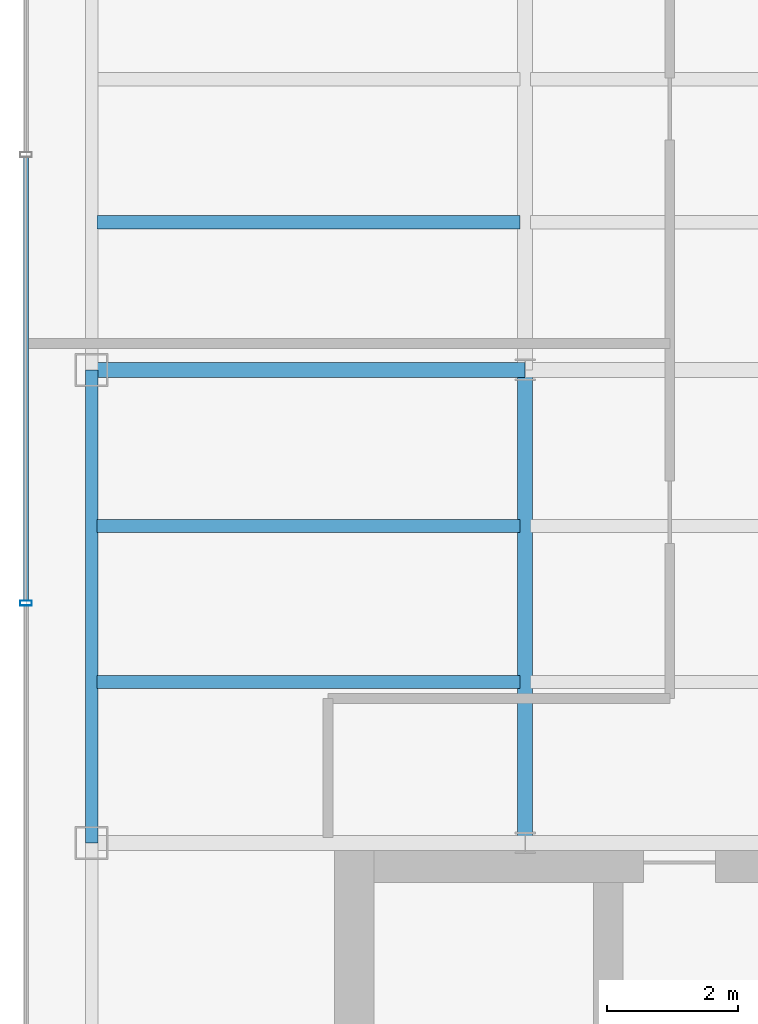
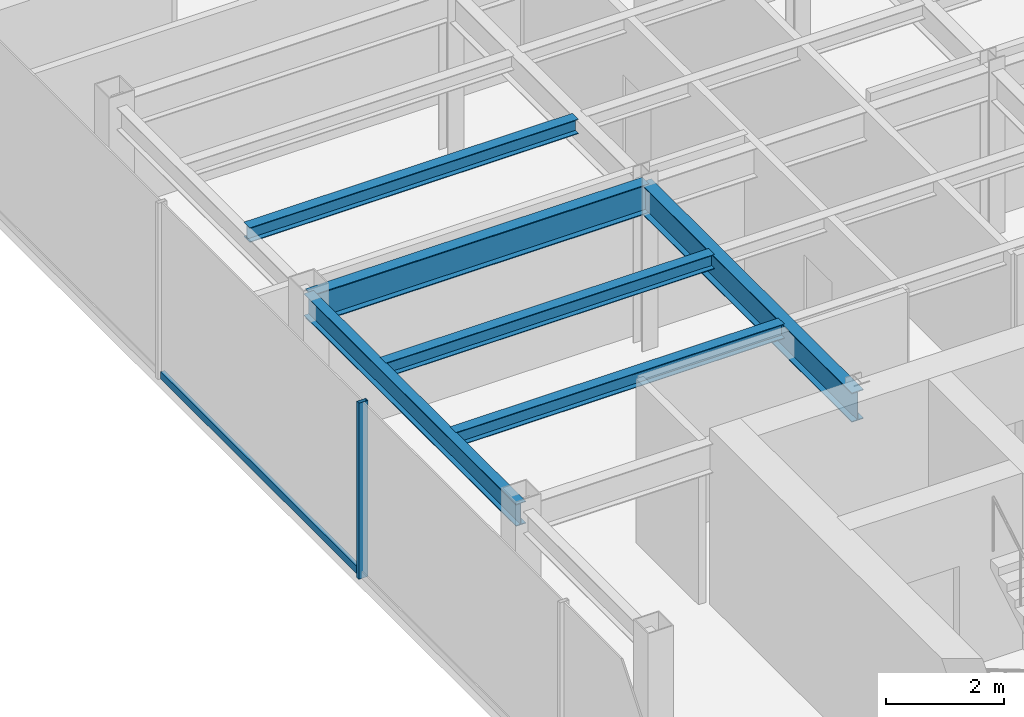
# One storey, part 5 of 22: 6 beams, 2 members, 1 element without a shape of its own.
"""IFC4 building model written with IfcOpenShell, lengths in metres."""

from ifc_helpers import new_model, si_unit, derived_unit, direction, frame, origin, origin_2d, place, context, subcontext, project, spatial, hollow_rectangle, i_section, extrude, source, transform, mapped, material, material_profile, profile_set, type_object, element, aggregate, save


model = new_model("IFC4")

# Units and contexts
model_context = context("Model", 3, precision=1e-05, world=origin(), true_north=direction((0.0, 1.0)))
body_context = subcontext(model_context, "Body", "Model", "MODEL_VIEW")
ifc_project = project(units=[si_unit("LENGTHUNIT", "METRE"), si_unit("AREAUNIT", "SQUARE_METRE"), si_unit("VOLUMEUNIT", "CUBIC_METRE"), si_unit("PLANEANGLEUNIT", "RADIAN"), si_unit("MASSUNIT", "GRAM", prefix="KILO"), derived_unit("THERMALTRANSMITTANCEUNIT", [(si_unit("POWERUNIT", "WATT"), 1), (si_unit("LENGTHUNIT", "METRE"), -2), (si_unit("THERMODYNAMICTEMPERATUREUNIT", "KELVIN"), -1)])], contexts=[model_context])

# Site, building, storey
site_placement = place(None, origin())
site = spatial("IfcSite", under=ifc_project, at=site_placement, CompositionType="ELEMENT")
building_placement = place(site_placement, origin())
building = spatial("IfcBuilding", under=site, at=building_placement, Name="Skarnbrae Concourse Arena and Tower", CompositionType="ELEMENT")
storey_placement = place(building_placement, frame((0.0, 0.0, 277.050048828125)))
storey = spatial("IfcBuildingStorey", under=building, at=storey_placement, Name="L72", CompositionType="ELEMENT", Elevation=277.050048828125)

# Beams
ifc_material_1 = material(Name="Steel CSA G40.21 350W", Category="steel")
ifc_material_profile_1 = material_profile(ifc_material_1, i_section(OverallWidth=0.22802734375, OverallDepth=0.60791015625, WebThickness=0.01123046875, FlangeThickness=0.017333984375, at=origin_2d()), Name="W610X113")
ifc_profile_set_1 = profile_set([ifc_material_profile_1], Name="Steel CSA G40.21 350W")
beam_type_1 = type_object("IfcBeamType", Name="BM-GIRD-W610X113", PredefinedType="BEAM", material=ifc_profile_set_1)
shared_shape_1 = source(origin(), body_context, "Body", "SweptSolid", [
    extrude(i_section(OverallWidth=0.22802734375, OverallDepth=0.60791015625, WebThickness=0.01123046875, FlangeThickness=0.017333984375, at=origin_2d()), origin(), (0.0, 0.0, 1.0), 6.60009765625),
])
beam_1_placement = place(storey_placement, frame((1.0, 21.199951171875, 3.095947265625), z_axis=(1.0, 0.0, 0.0), x_axis=(0.0, 1.0, 0.0)))
element("IfcBeam", 1, at=beam_1_placement, inside=storey, type_object=beam_type_1, Name="L72 Primary E-W girder Y21.2-1", PredefinedType="BEAM", context=body_context, shape_type="MappedRepresentation", body=[
    mapped(shared_shape_1, transform((0.0, 0.0, 0.0))),
])
ifc_material_profile_2 = material_profile(ifc_material_1, i_section(OverallWidth=0.19091796875, OverallDepth=0.4599609375, WebThickness=0.010009765625, FlangeThickness=0.01611328125, at=origin_2d()), Name="W460X82")
ifc_profile_set_2 = profile_set([ifc_material_profile_2], Name="Steel CSA G40.21 350W")
beam_type_2 = type_object("IfcBeamType", Name="BM-SPAN-W460X82", PredefinedType="SPANDREL", material=ifc_profile_set_2)
shared_shape_2 = source(origin(), body_context, "Body", "SweptSolid", [
    extrude(i_section(OverallWidth=0.19091796875, OverallDepth=0.4599609375, WebThickness=0.010009765625, FlangeThickness=0.01611328125, at=origin_2d()), origin(), (0.0, 0.0, 1.0), 7.199951171875),
])
beam_2_placement = place(storey_placement, frame((1.0, 14.0, 3.169921875), z_axis=(0.0, 1.0, 0.0), x_axis=(-1.0, 0.0, 0.0)))
element("IfcBeam", 2, at=beam_2_placement, inside=storey, type_object=beam_type_2, Name="L72 Perimeter spandrel X1.0-2", PredefinedType="SPANDREL", context=body_context, shape_type="MappedRepresentation", body=[
    mapped(shared_shape_2, transform((0.0, 0.0, 0.0))),
])
shared_shape_3 = source(origin(), body_context, "Body", "SweptSolid", [
    extrude(i_section(OverallWidth=0.22802734375, OverallDepth=0.60791015625, WebThickness=0.01123046875, FlangeThickness=0.017333984375, at=origin_2d()), origin(), (0.0, 0.0, 1.0), 7.199951171875),
])
beam_3_placement = place(storey_placement, frame((7.60009765625, 14.0, 3.095947265625), z_axis=(0.0, 1.0, 0.0), x_axis=(-1.0, 0.0, 0.0)))
element("IfcBeam", 3, at=beam_3_placement, inside=storey, type_object=beam_type_1, Name="L72 Primary N-S girder X7.6-1", PredefinedType="BEAM", context=body_context, shape_type="MappedRepresentation", body=[
    mapped(shared_shape_3, transform((0.0, 0.0, 0.0))),
])
ifc_material_profile_3 = material_profile(ifc_material_1, i_section(OverallWidth=0.202880859375, OverallDepth=0.302978515625, WebThickness=0.007568359375, FlangeThickness=0.01318359375, at=origin_2d()), Name="W310X60")
ifc_profile_set_3 = profile_set([ifc_material_profile_3], Name="Steel CSA G40.21 350W")
beam_type_3 = type_object("IfcBeamType", Name="BM-JOIST-W310X60", PredefinedType="JOIST", material=ifc_profile_set_3)
shared_shape_4 = source(origin(), body_context, "Body", "SweptSolid", [
    extrude(i_section(OverallWidth=0.202880859375, OverallDepth=0.302978515625, WebThickness=0.007568359375, FlangeThickness=0.01318359375, at=origin_2d()), origin(), (0.0, 0.0, 1.0), 6.43994140625),
])
for number, where, z_axis, x_axis, name in (
    (4, (1.080078125, 16.447998046875, 3.24853515625), (1.0, 0.0, 0.0), (0.0, 1.0, 0.0), "L72 Secondary floor joist 1.1.1"),
    (5, (1.080078125, 18.823974609375, 3.24853515625), (1.0, 0.0, 0.0), (0.0, 1.0, 0.0), "L72 Secondary floor joist 1.2.1"),
    (6, (1.080078125, 23.444091796875, 3.24853515625), (1.0, 0.0, 0.0), (0.0, 1.0, 0.0), "L72 Secondary floor joist 2.1.1"),
):
    element("IfcBeam", number, at=place(storey_placement, frame(where, z_axis=z_axis, x_axis=x_axis)), inside=storey, type_object=beam_type_3, Name=name, PredefinedType="JOIST", context=body_context, shape_type="MappedRepresentation", body=[
        mapped(shared_shape_4, transform((0.0, 0.0, 0.0))),
    ])

# Curtain wall, members
ifc_material_2 = material(Name="Bronze anodised aluminium 6063-T6", Category="aluminium")
curtain_wall_type = type_object("IfcCurtainWallType", Name="CW-SYS-05-HIGHZONE", PredefinedType="USERDEFINED", material=ifc_material_2)
curtain_wall_placement = place(storey_placement, origin())
curtain_wall = element("IfcCurtainWall", 7, at=curtain_wall_placement, inside=storey, type_object=curtain_wall_type, Name="L72 Unitised curtain wall CW-L72-E18", ObjectType="UNITISED CURTAIN WALL", PredefinedType="USERDEFINED")
ifc_material_profile_4 = material_profile(ifc_material_2, hollow_rectangle(XDim=0.074951171875, YDim=0.179931640625, WallThickness=0.00390625, at=origin_2d()), Name="ALU-MULL-75X180")
ifc_profile_set_4 = profile_set([ifc_material_profile_4], Name="Bronze anodised aluminium 6063-T6")
member_type_1 = type_object("IfcMemberType", Name="CWM-CW-05", PredefinedType="MULLION", material=ifc_profile_set_4)
shared_shape_5 = source(origin(), body_context, "Body", "SweptSolid", [
    extrude(hollow_rectangle(XDim=0.074951171875, YDim=0.179931640625, WallThickness=0.00390625, at=origin_2d()), origin(), (0.0, 0.0, 1.0), 3.64990234375),
])
member_1_placement = place(storey_placement, frame((0.0, 17.64990234375, 0.0), z_axis=(0.0, 0.0, 1.0), x_axis=(0.0, -1.0, 0.0)))
member_1 = element("IfcMember", 8, at=member_1_placement, type_object=member_type_1, Name="CW-L72-E18 Mullion 3", PredefinedType="MULLION", context=body_context, shape_type="MappedRepresentation", body=[
    mapped(shared_shape_5, transform((0.0, 0.0, 0.0))),
])
ifc_material_profile_5 = material_profile(ifc_material_2, hollow_rectangle(XDim=0.074951171875, YDim=0.14990234375, WallThickness=0.00390625, at=origin_2d()), Name="ALU-TRAN-75X150")
ifc_profile_set_5 = profile_set([ifc_material_profile_5], Name="Bronze anodised aluminium 6063-T6")
member_type_2 = type_object("IfcMemberType", Name="CWT-CW-05", PredefinedType="USERDEFINED", material=ifc_profile_set_5)
shared_shape_6 = source(origin(), body_context, "Body", "SweptSolid", [
    extrude(hollow_rectangle(XDim=0.074951171875, YDim=0.14990234375, WallThickness=0.00390625, at=origin_2d()), origin(), (0.0, 0.0, 1.0), 6.75),
])
member_2_placement = place(storey_placement, frame((0.0, 24.4375, 0.074951171875), z_axis=(0.0, -1.0, 0.0), x_axis=(1.0, 0.0, 0.0)))
member_2 = element("IfcMember", 9, at=member_2_placement, type_object=member_type_2, Name="CW-L72-E18 Transom 2", ObjectType="TRANSOM", PredefinedType="USERDEFINED", context=body_context, shape_type="MappedRepresentation", body=[
    mapped(shared_shape_6, transform((0.0, 0.0, 0.0))),
])
aggregate(curtain_wall, [member_1, member_2])

save(model, "model.ifc")
